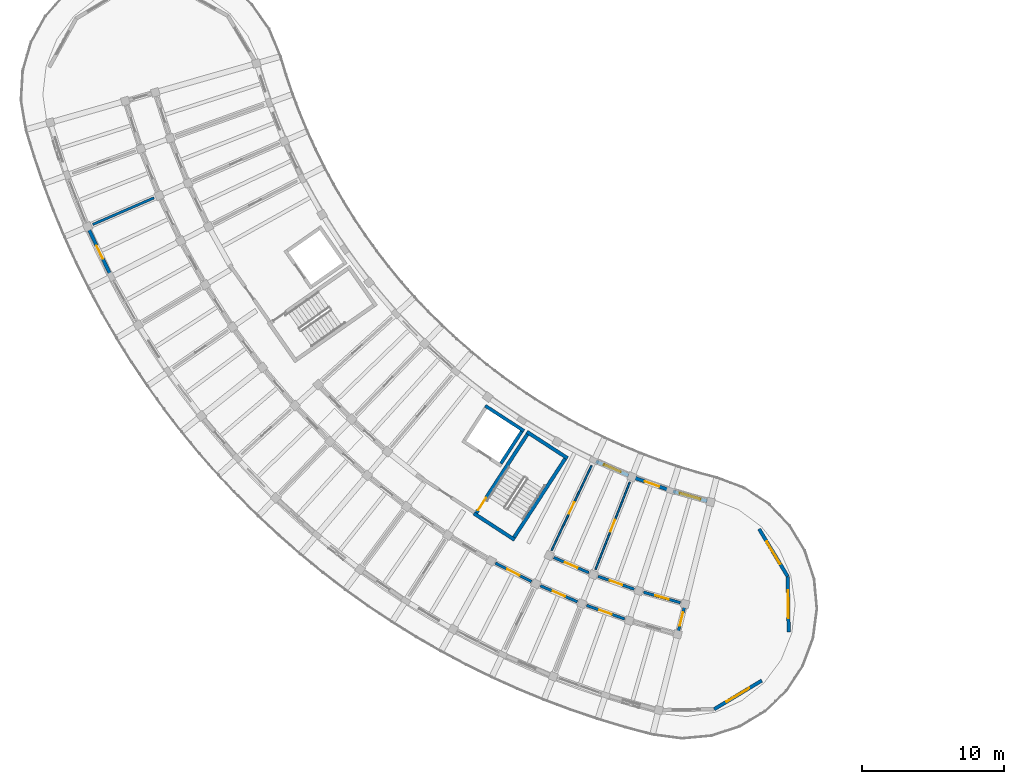
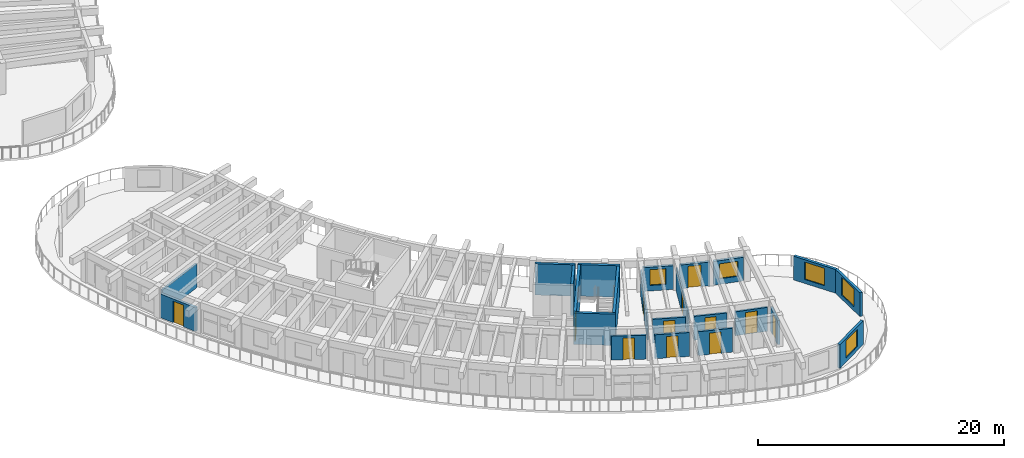
# One storey, part 56 of 96: 23 walls, 12 doors, 5 windows, 17 openings.
"""IFC4 building model written with IfcOpenShell, lengths in metres."""

from ifc_helpers import new_model, si_unit, direction, frame, frame_2d, origin, place, context, subcontext, project, spatial, rectangle, extrude, material, layer, layer_set, type_object, element, fill, save


model = new_model("IFC4")

# Units and contexts
model_context = context("Model", 3, precision=1e-05, world=origin(), true_north=direction((0.0, 1.0)))
body_context = subcontext(model_context, "Body", "Model", "MODEL_VIEW")
ifc_project = project(units=[si_unit("LENGTHUNIT", "METRE"), si_unit("AREAUNIT", "SQUARE_METRE"), si_unit("VOLUMEUNIT", "CUBIC_METRE"), si_unit("PLANEANGLEUNIT", "RADIAN"), si_unit("MASSUNIT", "GRAM", prefix="KILO")], contexts=[model_context])

# Site, building, storey
site_placement = place(None, origin())
site = spatial("IfcSite", under=ifc_project, at=site_placement, CompositionType="ELEMENT")
building_placement = place(site_placement, origin())
building = spatial("IfcBuilding", under=site, at=building_placement, Name="Tanwirah Colonnade Gardens", CompositionType="ELEMENT")
storey_placement = place(building_placement, frame((0.0, 0.0, 12.199951171875)))
storey = spatial("IfcBuildingStorey", under=building, at=storey_placement, Name="L03", CompositionType="ELEMENT", Elevation=12.199951171875)

# Wall, opening, door
ifc_material_1 = material(Name="Limestone architectural precast concrete C40/50", Category="masonry")
ifc_layer_1 = layer(ifc_material_1, 0.2451171875)
ifc_layer_set_1 = layer_set([ifc_layer_1], Name="Limestone architectural precast concrete C40/50")
wall_type_1 = type_object("IfcWallType", Name="EW-PC245", PredefinedType="SOLIDWALL", material=ifc_layer_set_1)
wall_1_placement = place(storey_placement, frame((10.49609375, 40.528564453125, 0.0), z_axis=(0.0, 0.0, 1.0), x_axis=(0.428576879122, -0.903505317462, 0.0)))
wall_1 = element("IfcWall", 1, at=wall_1_placement, inside=storey, type_object=wall_type_1, Name="Block C L03 OUT Precast Facade Wall 2", PredefinedType="SOLIDWALL", context=body_context, shape_type="SweptSolid", body=[
    extrude(rectangle(XDim=3.48681640625, YDim=0.2451171875, at=frame_2d((1.743408203125, 0.0))), origin(), (0.0, 0.0, 1.0), 2.35498046875),
])
opening_1_placement = place(wall_1_placement, frame((1.2333984375, 0.0, 0.0)))
opening_1 = element("IfcOpeningElement", 2, at=opening_1_placement, cuts=wall_1, Name="Opening L03-ED138", PredefinedType="OPENING", context=body_context, shape_type="SweptSolid", body=[
    extrude(rectangle(XDim=1.02001953125, YDim=2.139892578125, at=frame_2d((0.510009765625, 1.06982421875))), frame((0.0, 0.132568359375, 0.0), z_axis=(0.0, -1.0, 0.0), x_axis=(1.0, 0.0, 0.0)), (0.0, 0.0, 1.0), 0.26513671875),
])
ifc_material_2 = material(Name="Bronze aluminium glazed balcony door", Category="aluminium")
door_type_1 = type_object("IfcDoorType", Name="ED-BAL102", OperationType="NOTDEFINED", PredefinedType="DOOR", material=ifc_material_2)
door_1_placement = place(opening_1_placement, origin())
door_1 = element("IfcDoor", 3, at=door_1_placement, inside=storey, type_object=door_type_1, Name="Balcony glazed door L03-ED138", OperationType="SINGLE_SWING_RIGHT", OverallHeight=2.139892578125, OverallWidth=1.02001953125, PredefinedType="DOOR", context=body_context, shape_type="SweptSolid", body=[
    extrude(rectangle(XDim=1.02001953125, YDim=2.139892578125, at=frame_2d((0.510009765625, 1.06982421875))), frame((0.0, 0.02490234375, 0.0), z_axis=(0.0, -1.0, 0.0), x_axis=(1.0, 0.0, 0.0)), (0.0, 0.0, 1.0), 0.050048828125),
])
fill(opening_1, door_1)

# Wall, opening, window
wall_2_placement = place(storey_placement, frame((46.185791015625, 24.2333984375, 0.0), z_axis=(0.0, 0.0, 1.0), x_axis=(0.91795321239, -0.396688668686, 0.0)))
wall_2 = element("IfcWall", 4, at=wall_2_placement, inside=storey, type_object=wall_type_1, Name="Block C L03 IN Precast Facade Wall 13", PredefinedType="SOLIDWALL", context=body_context, shape_type="SweptSolid", body=[
    extrude(rectangle(XDim=2.498779296875, YDim=0.2451171875, at=frame_2d((1.24951171875, 0.0))), origin(), (0.0, 0.0, 1.0), 2.35498046875),
])
opening_2_placement = place(wall_2_placement, frame((0.609375, 0.0, 0.550048828125)))
opening_2 = element("IfcOpeningElement", 5, at=opening_2_placement, cuts=wall_2, Name="Opening WIN-U04", PredefinedType="OPENING", context=body_context, shape_type="SweptSolid", body=[
    extrude(rectangle(XDim=1.280029296875, YDim=1.56005859375, at=frame_2d((0.64013671875, 0.780029296875))), frame((0.0, 0.132568359375, 0.0), z_axis=(0.0, -1.0, 0.0), x_axis=(1.0, 0.0, 0.0)), (0.0, 0.0, 1.0), 0.26513671875),
])
ifc_material_3 = material(Name="Thermally broken bronze aluminium and solar low-E double glazing", Category="aluminium")
window_type_1 = type_object("IfcWindowType", Name="WIN-U04", PartitioningType="DOUBLE_PANEL_VERTICAL", PredefinedType="WINDOW", material=ifc_material_3)
window_1_placement = place(opening_2_placement, origin())
window_1 = element("IfcWindow", 6, at=window_1_placement, inside=storey, type_object=window_type_1, Name="Facade window C-L03-IN-13", OverallHeight=1.56005859375, OverallWidth=1.280029296875, PartitioningType="SINGLE_PANEL", PredefinedType="WINDOW", context=body_context, shape_type="SweptSolid", body=[
    extrude(rectangle(XDim=1.280029296875, YDim=1.56005859375, at=frame_2d((0.64013671875, 0.780029296875))), frame((0.0, 0.030029296875, 0.0), z_axis=(0.0, -1.0, 0.0), x_axis=(1.0, 0.0, 0.0)), (0.0, 0.0, 1.0), 0.06005859375),
])
fill(opening_2, window_1)

# Wall, opening, door
wall_3_placement = place(storey_placement, frame((48.944580078125, 23.05908203125, 0.0), z_axis=(0.0, 0.0, 1.0), x_axis=(0.941892135469, -0.33591547321, 0.0)))
wall_3 = element("IfcWall", 7, at=wall_3_placement, inside=storey, type_object=wall_type_1, Name="Block C L03 IN Precast Facade Wall 14", PredefinedType="SOLIDWALL", context=body_context, shape_type="SweptSolid", body=[
    extrude(rectangle(XDim=2.498779296875, YDim=0.2451171875, at=frame_2d((1.24951171875, 0.0))), origin(), (0.0, 0.0, 1.0), 2.35498046875),
])
opening_3_placement = place(wall_3_placement, frame((0.70947265625, 0.0, 0.0)))
opening_3 = element("IfcOpeningElement", 8, at=opening_3_placement, cuts=wall_3, Name="Opening L03-ED142", PredefinedType="OPENING", context=body_context, shape_type="SweptSolid", body=[
    extrude(rectangle(XDim=1.080078125, YDim=2.14990234375, at=frame_2d((0.5400390625, 1.074951171875))), frame((0.0, 0.132568359375, 0.0), z_axis=(0.0, -1.0, 0.0), x_axis=(1.0, 0.0, 0.0)), (0.0, 0.0, 1.0), 0.26513671875),
])
door_type_2 = type_object("IfcDoorType", Name="ED-BAL108", OperationType="NOTDEFINED", PredefinedType="DOOR", material=ifc_material_2)
door_2_placement = place(opening_3_placement, origin())
door_2 = element("IfcDoor", 9, at=door_2_placement, inside=storey, type_object=door_type_2, Name="Balcony glazed door L03-ED142", OperationType="SINGLE_SWING_RIGHT", OverallHeight=2.14990234375, OverallWidth=1.080078125, PredefinedType="DOOR", context=body_context, shape_type="SweptSolid", body=[
    extrude(rectangle(XDim=1.080078125, YDim=2.14990234375, at=frame_2d((0.5400390625, 1.074951171875))), frame((0.0, 0.02490234375, 0.0), z_axis=(0.0, -1.0, 0.0), x_axis=(1.0, 0.0, 0.0)), (0.0, 0.0, 1.0), 0.050048828125),
])
fill(opening_3, door_2)

# Wall, opening, window
wall_4_placement = place(storey_placement, frame((51.602783203125, 22.122314453125, 0.0), z_axis=(0.0, 0.0, 1.0), x_axis=(0.961847744742, -0.273585299195, 0.0)))
wall_4 = element("IfcWall", 10, at=wall_4_placement, inside=storey, type_object=wall_type_1, Name="Block C L03 IN Precast Facade Wall 15", PredefinedType="SOLIDWALL", context=body_context, shape_type="SweptSolid", body=[
    extrude(rectangle(XDim=2.49853515625, YDim=0.2451171875, at=frame_2d((1.249267578125, 0.0))), origin(), (0.0, 0.0, 1.0), 2.35498046875),
])
opening_4_placement = place(wall_4_placement, frame((0.489501953125, 0.0, 0.550048828125)))
opening_4 = element("IfcOpeningElement", 11, at=opening_4_placement, cuts=wall_4, Name="Opening WIN-U10", PredefinedType="OPENING", context=body_context, shape_type="SweptSolid", body=[
    extrude(rectangle(XDim=1.52001953125, YDim=1.485107421875, at=frame_2d((0.760009765625, 0.74267578125))), frame((0.0, 0.132568359375, 0.0), z_axis=(0.0, -1.0, 0.0), x_axis=(1.0, 0.0, 0.0)), (0.0, 0.0, 1.0), 0.26513671875),
])
window_type_2 = type_object("IfcWindowType", Name="WIN-U10", PartitioningType="DOUBLE_PANEL_VERTICAL", PredefinedType="WINDOW", material=ifc_material_3)
window_2_placement = place(opening_4_placement, origin())
window_2 = element("IfcWindow", 12, at=window_2_placement, inside=storey, type_object=window_type_2, Name="Facade window C-L03-IN-15", OverallHeight=1.485107421875, OverallWidth=1.52001953125, PartitioningType="SINGLE_PANEL", PredefinedType="WINDOW", context=body_context, shape_type="SweptSolid", body=[
    extrude(rectangle(XDim=1.52001953125, YDim=1.485107421875, at=frame_2d((0.760009765625, 0.74267578125))), frame((0.0, 0.030029296875, 0.0), z_axis=(0.0, -1.0, 0.0), x_axis=(1.0, 0.0, 0.0)), (0.0, 0.0, 1.0), 0.06005859375),
])
fill(opening_4, window_2)

wall_5_placement = place(storey_placement, frame((57.664794921875, 19.4755859375, 0.0), z_axis=(0.0, 0.0, 1.0), x_axis=(0.515019321998, -0.857178568309, 0.0)))
wall_5 = element("IfcWall", 13, at=wall_5_placement, inside=storey, type_object=wall_type_1, Name="Block C L03 END Rounded End Wall 1", PredefinedType="SOLIDWALL", context=body_context, shape_type="SweptSolid", body=[
    extrude(rectangle(XDim=3.907958984375, YDim=0.2451171875, at=frame_2d((1.9541015625, 0.0))), origin(), (0.0, 0.0, 1.0), 2.35498046875),
])
opening_5_placement = place(wall_5_placement, frame((1.029052734375, 0.0, 0.39990234375)))
opening_5 = element("IfcOpeningElement", 14, at=opening_5_placement, cuts=wall_5, Name="Opening WIN-END1", PredefinedType="OPENING", context=body_context, shape_type="SweptSolid", body=[
    extrude(rectangle(XDim=1.85009765625, YDim=1.719970703125, at=frame_2d((0.925048828125, 0.85986328125))), frame((0.0, 0.132568359375, 0.0), z_axis=(0.0, -1.0, 0.0), x_axis=(1.0, 0.0, 0.0)), (0.0, 0.0, 1.0), 0.26513671875),
])
window_type_3 = type_object("IfcWindowType", Name="WIN-END1", PartitioningType="TRIPLE_PANEL_VERTICAL", PredefinedType="WINDOW", material=ifc_material_3)
window_3_placement = place(opening_5_placement, origin())
window_3 = element("IfcWindow", 15, at=window_3_placement, inside=storey, type_object=window_type_3, Name="Rounded corner window C-L03-END-1", OverallHeight=1.719970703125, OverallWidth=1.85009765625, PartitioningType="SINGLE_PANEL", PredefinedType="WINDOW", context=body_context, shape_type="SweptSolid", body=[
    extrude(rectangle(XDim=1.85009765625, YDim=1.719970703125, at=frame_2d((0.925048828125, 0.85986328125))), frame((0.0, 0.030029296875, 0.0), z_axis=(0.0, -1.0, 0.0), x_axis=(1.0, 0.0, 0.0)), (0.0, 0.0, 1.0), 0.06005859375),
])
fill(opening_5, window_3)

wall_6_placement = place(storey_placement, frame((59.677490234375, 16.125732421875, 0.0), z_axis=(0.0, 0.0, 1.0), x_axis=(0.017490763899, -0.999847024888, 0.0)))
wall_6 = element("IfcWall", 16, at=wall_6_placement, inside=storey, type_object=wall_type_1, Name="Block C L03 END Rounded End Wall 2", PredefinedType="SOLIDWALL", context=body_context, shape_type="SweptSolid", body=[
    extrude(rectangle(XDim=3.908203125, YDim=0.2451171875, at=frame_2d((1.9541015625, 0.0))), origin(), (0.0, 0.0, 1.0), 2.35498046875),
])
opening_6_placement = place(wall_6_placement, frame((0.97900390625, 0.0, 0.39990234375)))
opening_6 = element("IfcOpeningElement", 17, at=opening_6_placement, cuts=wall_6, Name="Opening WIN-END2", PredefinedType="OPENING", context=body_context, shape_type="SweptSolid", body=[
    extrude(rectangle(XDim=1.949951171875, YDim=1.780029296875, at=frame_2d((0.97509765625, 0.89013671875))), frame((0.0, 0.132568359375, 0.0), z_axis=(0.0, -1.0, 0.0), x_axis=(1.0, 0.0, 0.0)), (0.0, 0.0, 1.0), 0.26513671875),
])
window_type_4 = type_object("IfcWindowType", Name="WIN-END2", PartitioningType="TRIPLE_PANEL_VERTICAL", PredefinedType="WINDOW", material=ifc_material_3)
window_4_placement = place(opening_6_placement, origin())
window_4 = element("IfcWindow", 18, at=window_4_placement, inside=storey, type_object=window_type_4, Name="Rounded corner window C-L03-END-2", OverallHeight=1.780029296875, OverallWidth=1.949951171875, PartitioningType="SINGLE_PANEL", PredefinedType="WINDOW", context=body_context, shape_type="SweptSolid", body=[
    extrude(rectangle(XDim=1.949951171875, YDim=1.780029296875, at=frame_2d((0.97509765625, 0.89013671875))), frame((0.0, 0.030029296875, 0.0), z_axis=(0.0, -1.0, 0.0), x_axis=(1.0, 0.0, 0.0)), (0.0, 0.0, 1.0), 0.06005859375),
])
fill(opening_6, window_4)

wall_7_placement = place(storey_placement, frame((57.85107421875, 8.800048828125, 0.0), z_axis=(0.0, 0.0, 1.0), x_axis=(-0.85715098885, -0.515065221417, 0.0)))
wall_7 = element("IfcWall", 19, at=wall_7_placement, inside=storey, type_object=wall_type_1, Name="Block C L03 END Rounded End Wall 4", PredefinedType="SOLIDWALL", context=body_context, shape_type="SweptSolid", body=[
    extrude(rectangle(XDim=3.908203125, YDim=0.2451171875, at=frame_2d((1.9541015625, 0.0))), origin(), (0.0, 0.0, 1.0), 2.35498046875),
])
opening_7_placement = place(wall_7_placement, frame((1.029052734375, 0.0, 0.39990234375)))
opening_7 = element("IfcOpeningElement", 20, at=opening_7_placement, cuts=wall_7, Name="Opening WIN-END1", PredefinedType="OPENING", context=body_context, shape_type="SweptSolid", body=[
    extrude(rectangle(XDim=1.85009765625, YDim=1.719970703125, at=frame_2d((0.925048828125, 0.85986328125))), frame((0.0, 0.132568359375, 0.0), z_axis=(0.0, -1.0, 0.0), x_axis=(1.0, 0.0, 0.0)), (0.0, 0.0, 1.0), 0.26513671875),
])
window_5_placement = place(opening_7_placement, origin())
window_5 = element("IfcWindow", 21, at=window_5_placement, inside=storey, type_object=window_type_3, Name="Rounded corner window C-L03-END-4", OverallHeight=1.719970703125, OverallWidth=1.85009765625, PartitioningType="SINGLE_PANEL", PredefinedType="WINDOW", context=body_context, shape_type="SweptSolid", body=[
    extrude(rectangle(XDim=1.85009765625, YDim=1.719970703125, at=frame_2d((0.925048828125, 0.85986328125))), frame((0.0, 0.030029296875, 0.0), z_axis=(0.0, -1.0, 0.0), x_axis=(1.0, 0.0, 0.0)), (0.0, 0.0, 1.0), 0.06005859375),
])
fill(opening_7, window_5)

# Wall, opening, door
ifc_material_4 = material(Name="Precast concrete C40/50", Category="concrete")
ifc_layer_2 = layer(ifc_material_4, 0.195068359375)
ifc_layer_set_2 = layer_set([ifc_layer_2], Name="Precast concrete C40/50")
wall_type_2 = type_object("IfcWallType", Name="IW-CORR195", PredefinedType="PARTITIONING", material=ifc_layer_set_2)
wall_8_placement = place(storey_placement, frame((39.107421875, 17.067138671875, 0.0), z_axis=(0.0, 0.0, 1.0), x_axis=(0.890030590607, -0.45590080915, 0.0)))
wall_8 = element("IfcWall", 22, at=wall_8_placement, inside=storey, type_object=wall_type_2, Name="Block C L03 OUT Corridor Wall 12", PredefinedType="PARTITIONING", context=body_context, shape_type="SweptSolid", body=[
    extrude(rectangle(XDim=2.837158203125, YDim=0.195068359375, at=frame_2d((1.41845703125, 0.0))), origin(), (0.0, 0.0, 1.0), 2.3701171875),
])
opening_8_placement = place(wall_8_placement, frame((0.93359375, 0.0, 0.0)))
opening_8 = element("IfcOpeningElement", 23, at=opening_8_placement, cuts=wall_8, Name="Opening L03-AD1417", PredefinedType="OPENING", context=body_context, shape_type="SweptSolid", body=[
    extrude(rectangle(XDim=0.969970703125, YDim=2.14990234375, at=frame_2d((0.48486328125, 1.074951171875))), frame((0.0, 0.107421875, 0.0), z_axis=(0.0, -1.0, 0.0), x_axis=(1.0, 0.0, 0.0)), (0.0, 0.0, 1.0), 0.215087890625),
])
ifc_material_5 = material(Name="Solid oak fire-resisting apartment entrance door")
door_type_3 = type_object("IfcDoorType", Name="ID-FLT097", OperationType="NOTDEFINED", PredefinedType="DOOR", material=ifc_material_5)
door_3_placement = place(opening_8_placement, origin())
door_3 = element("IfcDoor", 24, at=door_3_placement, inside=storey, type_object=door_type_3, Name="Apartment corridor door L03-AD1417", OperationType="SINGLE_SWING_RIGHT", OverallHeight=2.14990234375, OverallWidth=0.969970703125, PredefinedType="DOOR", context=body_context, shape_type="SweptSolid", body=[
    extrude(rectangle(XDim=0.969970703125, YDim=2.14990234375, at=frame_2d((0.48486328125, 1.074951171875))), frame((0.0, 0.02490234375, 0.0), z_axis=(0.0, -1.0, 0.0), x_axis=(1.0, 0.0, 0.0)), (0.0, 0.0, 1.0), 0.050048828125),
])
fill(opening_8, door_3)

wall_9_placement = place(storey_placement, frame((42.26513671875, 15.475341796875, 0.0), z_axis=(0.0, 0.0, 1.0), x_axis=(0.917943439406, -0.396711282991, 0.0)))
wall_9 = element("IfcWall", 25, at=wall_9_placement, inside=storey, type_object=wall_type_2, Name="Block C L03 OUT Corridor Wall 13", PredefinedType="PARTITIONING", context=body_context, shape_type="SweptSolid", body=[
    extrude(rectangle(XDim=2.837158203125, YDim=0.195068359375, at=frame_2d((1.41845703125, 0.0))), origin(), (0.0, 0.0, 1.0), 2.3701171875),
])
opening_9_placement = place(wall_9_placement, frame((0.943603515625, 0.0, 0.0)))
opening_9 = element("IfcOpeningElement", 26, at=opening_9_placement, cuts=wall_9, Name="Opening L03-AD1420", PredefinedType="OPENING", context=body_context, shape_type="SweptSolid", body=[
    extrude(rectangle(XDim=0.949951171875, YDim=2.1298828125, at=frame_2d((0.47509765625, 1.06494140625))), frame((0.0, 0.107421875, 0.0), z_axis=(0.0, -1.0, 0.0), x_axis=(1.0, 0.0, 0.0)), (0.0, 0.0, 1.0), 0.215087890625),
])
door_type_4 = type_object("IfcDoorType", Name="ID-FLT095", OperationType="NOTDEFINED", PredefinedType="DOOR", material=ifc_material_5)
door_4_placement = place(opening_9_placement, origin())
door_4 = element("IfcDoor", 27, at=door_4_placement, inside=storey, type_object=door_type_4, Name="Apartment corridor door L03-AD1420", OperationType="SINGLE_SWING_LEFT", OverallHeight=2.1298828125, OverallWidth=0.949951171875, PredefinedType="DOOR", context=body_context, shape_type="SweptSolid", body=[
    extrude(rectangle(XDim=0.949951171875, YDim=2.1298828125, at=frame_2d((0.47509765625, 1.06494140625))), frame((0.0, 0.02490234375, 0.0), z_axis=(0.0, -1.0, 0.0), x_axis=(1.0, 0.0, 0.0)), (0.0, 0.0, 1.0), 0.050048828125),
])
fill(opening_9, door_4)

wall_10_placement = place(storey_placement, frame((43.20361328125, 17.465087890625, 0.0), z_axis=(0.0, 0.0, 1.0), x_axis=(0.91793557165, -0.39672948756, 0.0)))
wall_10 = element("IfcWall", 28, at=wall_10_placement, inside=storey, type_object=wall_type_2, Name="Block C L03 IN Corridor Wall 13", PredefinedType="PARTITIONING", context=body_context, shape_type="SweptSolid", body=[
    extrude(rectangle(XDim=2.69287109375, YDim=0.195068359375, at=frame_2d((1.346435546875, 0.0))), origin(), (0.0, 0.0, 1.0), 2.3701171875),
])
opening_10_placement = place(wall_10_placement, frame((0.87158203125, 0.0, 0.0)))
opening_10 = element("IfcOpeningElement", 29, at=opening_10_placement, cuts=wall_10, Name="Opening L03-AD1421", PredefinedType="OPENING", context=body_context, shape_type="SweptSolid", body=[
    extrude(rectangle(XDim=0.949951171875, YDim=2.1298828125, at=frame_2d((0.47509765625, 1.06494140625))), frame((0.0, 0.107421875, 0.0), z_axis=(0.0, -1.0, 0.0), x_axis=(1.0, 0.0, 0.0)), (0.0, 0.0, 1.0), 0.215087890625),
])
door_5_placement = place(opening_10_placement, origin())
door_5 = element("IfcDoor", 30, at=door_5_placement, inside=storey, type_object=door_type_4, Name="Apartment corridor door L03-AD1421", OperationType="SINGLE_SWING_RIGHT", OverallHeight=2.1298828125, OverallWidth=0.949951171875, PredefinedType="DOOR", context=body_context, shape_type="SweptSolid", body=[
    extrude(rectangle(XDim=0.949951171875, YDim=2.1298828125, at=frame_2d((0.47509765625, 1.06494140625))), frame((0.0, 0.02490234375, 0.0), z_axis=(0.0, -1.0, 0.0), x_axis=(1.0, 0.0, 0.0)), (0.0, 0.0, 1.0), 0.050048828125),
])
fill(opening_10, door_5)

wall_11_placement = place(storey_placement, frame((45.520263671875, 14.09326171875, 0.0), z_axis=(0.0, 0.0, 1.0), x_axis=(0.941930628611, -0.335807520589, 0.0)))
wall_11 = element("IfcWall", 31, at=wall_11_placement, inside=storey, type_object=wall_type_2, Name="Block C L03 OUT Corridor Wall 14", PredefinedType="PARTITIONING", context=body_context, shape_type="SweptSolid", body=[
    extrude(rectangle(XDim=2.8369140625, YDim=0.195068359375, at=frame_2d((1.41845703125, 0.0))), origin(), (0.0, 0.0, 1.0), 2.3701171875),
])
opening_11_placement = place(wall_11_placement, frame((0.95361328125, 0.0, 0.0)))
opening_11 = element("IfcOpeningElement", 32, at=opening_11_placement, cuts=wall_11, Name="Opening L03-AD1423", PredefinedType="OPENING", context=body_context, shape_type="SweptSolid", body=[
    extrude(rectangle(XDim=0.929931640625, YDim=2.1201171875, at=frame_2d((0.46484375, 1.06005859375))), frame((0.0, 0.107421875, 0.0), z_axis=(0.0, -1.0, 0.0), x_axis=(1.0, 0.0, 0.0)), (0.0, 0.0, 1.0), 0.215087890625),
])
door_type_5 = type_object("IfcDoorType", Name="ID-FLT093", OperationType="NOTDEFINED", PredefinedType="DOOR", material=ifc_material_5)
door_6_placement = place(opening_11_placement, origin())
door_6 = element("IfcDoor", 33, at=door_6_placement, inside=storey, type_object=door_type_5, Name="Apartment corridor door L03-AD1423", OperationType="SINGLE_SWING_RIGHT", OverallHeight=2.1201171875, OverallWidth=0.929931640625, PredefinedType="DOOR", context=body_context, shape_type="SweptSolid", body=[
    extrude(rectangle(XDim=0.929931640625, YDim=2.1201171875, at=frame_2d((0.46484375, 1.06005859375))), frame((0.0, 0.02490234375, 0.0), z_axis=(0.0, -1.0, 0.0), x_axis=(1.0, 0.0, 0.0)), (0.0, 0.0, 1.0), 0.050048828125),
])
fill(opening_11, door_6)

wall_12_placement = place(storey_placement, frame((46.32666015625, 16.140380859375, 0.0), z_axis=(0.0, 0.0, 1.0), x_axis=(0.941895652647, -0.335905611036, 0.0)))
wall_12 = element("IfcWall", 34, at=wall_12_placement, inside=storey, type_object=wall_type_2, Name="Block C L03 IN Corridor Wall 14", PredefinedType="PARTITIONING", context=body_context, shape_type="SweptSolid", body=[
    extrude(rectangle(XDim=2.69287109375, YDim=0.195068359375, at=frame_2d((1.346435546875, 0.0))), origin(), (0.0, 0.0, 1.0), 2.3701171875),
])
opening_12_placement = place(wall_12_placement, frame((0.881591796875, 0.0, 0.0)))
opening_12 = element("IfcOpeningElement", 35, at=opening_12_placement, cuts=wall_12, Name="Opening L03-AD1424", PredefinedType="OPENING", context=body_context, shape_type="SweptSolid", body=[
    extrude(rectangle(XDim=0.929931640625, YDim=2.1201171875, at=frame_2d((0.46484375, 1.06005859375))), frame((0.0, 0.107421875, 0.0), z_axis=(0.0, -1.0, 0.0), x_axis=(1.0, 0.0, 0.0)), (0.0, 0.0, 1.0), 0.215087890625),
])
door_7_placement = place(opening_12_placement, origin())
door_7 = element("IfcDoor", 36, at=door_7_placement, inside=storey, type_object=door_type_5, Name="Apartment corridor door L03-AD1424", OperationType="SINGLE_SWING_LEFT", OverallHeight=2.1201171875, OverallWidth=0.929931640625, PredefinedType="DOOR", context=body_context, shape_type="SweptSolid", body=[
    extrude(rectangle(XDim=0.929931640625, YDim=2.1201171875, at=frame_2d((0.46484375, 1.06005859375))), frame((0.0, 0.02490234375, 0.0), z_axis=(0.0, -1.0, 0.0), x_axis=(1.0, 0.0, 0.0)), (0.0, 0.0, 1.0), 0.050048828125),
])
fill(opening_12, door_7)

wall_13_placement = place(storey_placement, frame((49.529541015625, 15.0224609375, 0.0), z_axis=(0.0, 0.0, 1.0), x_axis=(0.961861926514, -0.273535435224, 0.0)))
wall_13 = element("IfcWall", 37, at=wall_13_placement, inside=storey, type_object=wall_type_2, Name="Block C L03 IN Corridor Wall 15", PredefinedType="PARTITIONING", context=body_context, shape_type="SweptSolid", body=[
    extrude(rectangle(XDim=2.69287109375, YDim=0.195068359375, at=frame_2d((1.346435546875, 0.0))), origin(), (0.0, 0.0, 1.0), 2.3701171875),
])
opening_13_placement = place(wall_13_placement, frame((0.8515625, 0.0, 0.0)))
opening_13 = element("IfcOpeningElement", 38, at=opening_13_placement, cuts=wall_13, Name="Opening L03-AD1426", PredefinedType="OPENING", context=body_context, shape_type="SweptSolid", body=[
    extrude(rectangle(XDim=0.989990234375, YDim=2.159912109375, at=frame_2d((0.4951171875, 1.080078125))), frame((0.0, 0.107421875, 0.0), z_axis=(0.0, -1.0, 0.0), x_axis=(1.0, 0.0, 0.0)), (0.0, 0.0, 1.0), 0.215087890625),
])
door_type_6 = type_object("IfcDoorType", Name="ID-FLT099", OperationType="NOTDEFINED", PredefinedType="DOOR", material=ifc_material_5)
door_8_placement = place(opening_13_placement, origin())
door_8 = element("IfcDoor", 39, at=door_8_placement, inside=storey, type_object=door_type_6, Name="Apartment corridor door L03-AD1426", OperationType="SINGLE_SWING_RIGHT", OverallHeight=2.159912109375, OverallWidth=0.989990234375, PredefinedType="DOOR", context=body_context, shape_type="SweptSolid", body=[
    extrude(rectangle(XDim=0.989990234375, YDim=2.159912109375, at=frame_2d((0.4951171875, 1.080078125))), frame((0.0, 0.02490234375, 0.0), z_axis=(0.0, -1.0, 0.0), x_axis=(1.0, 0.0, 0.0)), (0.0, 0.0, 1.0), 0.050048828125),
])
fill(opening_13, door_8)

wall_14_placement = place(storey_placement, frame((52.4443359375, 14.1416015625, 0.0), z_axis=(0.0, 0.0, 1.0), x_axis=(-0.241933770084, -0.970292765557, 0.0)))
wall_14 = element("IfcWall", 40, at=wall_14_placement, inside=storey, type_object=wall_type_2, Name="Block C L03 CE Corner Suite Corridor Wall", PredefinedType="PARTITIONING", context=body_context, shape_type="SweptSolid", body=[
    extrude(rectangle(XDim=2.10009765625, YDim=0.195068359375, at=frame_2d((1.050048828125, 0.0))), origin(), (0.0, 0.0, 1.0), 2.3701171875),
])
opening_14_placement = place(wall_14_placement, frame((0.570068359375, 0.0, 0.0)))
opening_14 = element("IfcOpeningElement", 41, at=opening_14_placement, cuts=wall_14, Name="Opening L03-CD1428", PredefinedType="OPENING", context=body_context, shape_type="SweptSolid", body=[
    extrude(rectangle(XDim=0.949951171875, YDim=2.1298828125, at=frame_2d((0.47509765625, 1.06494140625))), frame((0.0, 0.107421875, 0.0), z_axis=(0.0, -1.0, 0.0), x_axis=(1.0, 0.0, 0.0)), (0.0, 0.0, 1.0), 0.215087890625),
])
door_9_placement = place(opening_14_placement, origin())
door_9 = element("IfcDoor", 42, at=door_9_placement, inside=storey, type_object=door_type_4, Name="Corner suite entrance door L03-CD1428", OperationType="SINGLE_SWING_RIGHT", OverallHeight=2.1298828125, OverallWidth=0.949951171875, PredefinedType="DOOR", context=body_context, shape_type="SweptSolid", body=[
    extrude(rectangle(XDim=0.949951171875, YDim=2.1298828125, at=frame_2d((0.47509765625, 1.06494140625))), frame((0.0, 0.02490234375, 0.0), z_axis=(0.0, -1.0, 0.0), x_axis=(1.0, 0.0, 0.0)), (0.0, 0.0, 1.0), 0.050048828125),
])
fill(opening_14, door_9)

# Wall
ifc_layer_3 = layer(ifc_material_4, 0.175048828125)
ifc_layer_set_3 = layer_set([ifc_layer_3], Name="Precast concrete C40/50")
wall_type_3 = type_object("IfcWallType", Name="IW-DEM175", PredefinedType="PARTITIONING", material=ifc_layer_set_3)
wall_15_placement = place(storey_placement, frame((15.066162109375, 42.7880859375, 0.0), z_axis=(0.0, 0.0, 1.0), x_axis=(-0.917071707884, -0.398722312643, 0.0)))
element("IfcWall", 43, at=wall_15_placement, inside=storey, type_object=wall_type_3, Name="Block C L03 Radial Partition 1", PredefinedType="PARTITIONING", context=body_context, shape_type="SweptSolid", body=[
    extrude(rectangle(XDim=4.699951171875, YDim=0.175048828125, at=frame_2d((2.35009765625, 0.0))), origin(), (0.0, 0.0, 1.0), 2.3701171875),
])

# Wall, opening, door
ifc_material_6 = material(Name="Moisture-resistant gypsum stud partition")
ifc_layer_4 = layer(ifc_material_6, 0.125)
ifc_layer_set_4 = layer_set([ifc_layer_4], Name="Moisture-resistant gypsum stud partition")
wall_type_4 = type_object("IfcWallType", Name="IW-INT125", PredefinedType="PARTITIONING", material=ifc_layer_set_4)
wall_16_placement = place(storey_placement, frame((45.868408203125, 23.935302734375, 0.0), z_axis=(0.0, 0.0, 1.0), x_axis=(-0.426573573579, -0.904452865728, 0.0)))
wall_16 = element("IfcWall", 44, at=wall_16_placement, inside=storey, type_object=wall_type_4, Name="Block C L03 Inner Radial Partition 12", PredefinedType="PARTITIONING", context=body_context, shape_type="SweptSolid", body=[
    extrude(rectangle(XDim=6.60009765625, YDim=0.125, at=frame_2d((3.300048828125, 0.0))), origin(), (0.0, 0.0, 1.0), 2.3701171875),
])
opening_15_placement = place(wall_16_placement, frame((2.85498046875, 0.0, 0.0)))
opening_15 = element("IfcOpeningElement", 45, at=opening_15_placement, cuts=wall_16, Name="Opening L03-RD1419", PredefinedType="OPENING", context=body_context, shape_type="SweptSolid", body=[
    extrude(rectangle(XDim=0.889892578125, YDim=2.10009765625, at=frame_2d((0.44482421875, 1.050048828125))), frame((0.0, 0.072509765625, 0.0), z_axis=(0.0, -1.0, 0.0), x_axis=(1.0, 0.0, 0.0)), (0.0, 0.0, 1.0), 0.14501953125),
])
ifc_material_7 = material(Name="Painted hardwood bedroom door", Category="wood")
door_type_7 = type_object("IfcDoorType", Name="ID-RM089", OperationType="NOTDEFINED", PredefinedType="DOOR", material=ifc_material_7)
door_10_placement = place(opening_15_placement, origin())
door_10 = element("IfcDoor", 46, at=door_10_placement, inside=storey, type_object=door_type_7, Name="Internal apartment door L03-RD1419", OperationType="SINGLE_SWING_LEFT", OverallHeight=2.10009765625, OverallWidth=0.889892578125, PredefinedType="DOOR", context=body_context, shape_type="SweptSolid", body=[
    extrude(rectangle(XDim=0.889892578125, YDim=2.10009765625, at=frame_2d((0.44482421875, 1.050048828125))), frame((0.0, 0.02490234375, 0.0), z_axis=(0.0, -1.0, 0.0), x_axis=(1.0, 0.0, 0.0)), (0.0, 0.0, 1.0), 0.050048828125),
])
fill(opening_15, door_10)

wall_17_placement = place(storey_placement, frame((48.5625, 22.770751953125, 0.0), z_axis=(0.0, 0.0, 1.0), x_axis=(-0.366512873936, -0.930412979939, 0.0)))
wall_17 = element("IfcWall", 47, at=wall_17_placement, inside=storey, type_object=wall_type_4, Name="Block C L03 Inner Radial Partition 13", PredefinedType="PARTITIONING", context=body_context, shape_type="SweptSolid", body=[
    extrude(rectangle(XDim=6.599853515625, YDim=0.125, at=frame_2d((3.2998046875, 0.0))), origin(), (0.0, 0.0, 1.0), 2.3701171875),
])
opening_16_placement = place(wall_17_placement, frame((2.864990234375, 0.0, 0.0)))
opening_16 = element("IfcOpeningElement", 48, at=opening_16_placement, cuts=wall_17, Name="Opening L03-RD1422", PredefinedType="OPENING", context=body_context, shape_type="SweptSolid", body=[
    extrude(rectangle(XDim=0.8701171875, YDim=2.080078125, at=frame_2d((0.43505859375, 1.0400390625))), frame((0.0, 0.072509765625, 0.0), z_axis=(0.0, -1.0, 0.0), x_axis=(1.0, 0.0, 0.0)), (0.0, 0.0, 1.0), 0.14501953125),
])
ifc_material_8 = material(Name="Painted hardwood study door", Category="wood")
door_type_8 = type_object("IfcDoorType", Name="ID-RM087", OperationType="NOTDEFINED", PredefinedType="DOOR", material=ifc_material_8)
door_11_placement = place(opening_16_placement, origin())
door_11 = element("IfcDoor", 49, at=door_11_placement, inside=storey, type_object=door_type_8, Name="Internal apartment door L03-RD1422", OperationType="SINGLE_SWING_RIGHT", OverallHeight=2.080078125, OverallWidth=0.8701171875, PredefinedType="DOOR", context=body_context, shape_type="SweptSolid", body=[
    extrude(rectangle(XDim=0.8701171875, YDim=2.080078125, at=frame_2d((0.43505859375, 1.0400390625))), frame((0.0, 0.02490234375, 0.0), z_axis=(0.0, -1.0, 0.0), x_axis=(1.0, 0.0, 0.0)), (0.0, 0.0, 1.0), 0.050048828125),
])
fill(opening_16, door_11)

# Walls
ifc_material_9 = material(Name="Concrete C45/55", Category="concrete")
ifc_layer_5 = layer(ifc_material_9, 0.25)
ifc_layer_set_5 = layer_set([ifc_layer_5], Name="Concrete C45/55")
wall_type_5 = type_object("IfcWallType", Name="SW-CORE250", PredefinedType="SHEAR", material=ifc_layer_set_5)
wall_18_placement = place(storey_placement, frame((40.412841796875, 18.881591796875, 0.0), z_axis=(0.0, 0.0, 1.0), x_axis=(0.544629435258, 0.838676802022, 0.0)))
element("IfcWall", 50, at=wall_18_placement, inside=storey, type_object=wall_type_5, Name="CORE-C2 L03 Stair Shaft Shear Wall LEFT", PredefinedType="SHEAR", context=body_context, shape_type="SweptSolid", body=[
    extrude(rectangle(XDim=6.599853515625, YDim=0.25, at=frame_2d((3.2998046875, 0.0))), origin(), (0.0, 0.0, 1.0), 3.110107421875),
])
wall_19_placement = place(storey_placement, frame((44.180419921875, 24.45361328125, 0.0), z_axis=(0.0, 0.0, 1.0), x_axis=(-0.838699580527, 0.544594356953, 0.0)))
element("IfcWall", 51, at=wall_19_placement, inside=storey, type_object=wall_type_5, Name="CORE-C2 L03 Stair Shaft Shear Wall FAR", PredefinedType="SHEAR", context=body_context, shape_type="SweptSolid", body=[
    extrude(rectangle(XDim=3.420166015625, YDim=0.25, at=frame_2d((1.7099609375, 0.0))), origin(), (0.0, 0.0, 1.0), 3.110107421875),
])
wall_20_placement = place(storey_placement, frame((40.449462890625, 18.708740234375, 0.0), z_axis=(0.0, 0.0, 1.0), x_axis=(-0.838678407117, 0.544626963559, 0.0)))
element("IfcWall", 52, at=wall_20_placement, inside=storey, type_object=wall_type_5, Name="CORE-C2 L03 Stair Shaft Shear Wall NEAR", PredefinedType="SHEAR", context=body_context, shape_type="SweptSolid", body=[
    extrude(rectangle(XDim=3.419921875, YDim=0.25, at=frame_2d((1.7099609375, 0.0))), origin(), (0.0, 0.0, 1.0), 3.110107421875),
])

# Wall, opening, door
wall_21_placement = place(storey_placement, frame((37.754150390625, 20.608154296875, 0.0), z_axis=(0.0, 0.0, 1.0), x_axis=(0.544655453679, 0.838659905312, 0.0)))
wall_21 = element("IfcWall", 53, at=wall_21_placement, inside=storey, type_object=wall_type_5, Name="CORE-C2 L03 Stair Shaft Shear Wall RIGHT", PredefinedType="SHEAR", context=body_context, shape_type="SweptSolid", body=[
    extrude(rectangle(XDim=6.60009765625, YDim=0.25, at=frame_2d((3.300048828125, 0.0))), origin(), (0.0, 0.0, 1.0), 3.110107421875),
])
opening_17_placement = place(wall_21_placement, frame((0.219970703125, 0.0, 0.0)))
opening_17 = element("IfcOpeningElement", 54, at=opening_17_placement, cuts=wall_21, Name="Opening L03-SD149", PredefinedType="OPENING", context=body_context, shape_type="SweptSolid", body=[
    extrude(rectangle(XDim=1.050048828125, YDim=2.14990234375, at=frame_2d((0.52490234375, 1.074951171875))), frame((0.0, 0.135009765625, 0.0), z_axis=(0.0, -1.0, 0.0), x_axis=(1.0, 0.0, 0.0)), (0.0, 0.0, 1.0), 0.27001953125),
])
ifc_material_10 = material(Name="Steel fire-resisting stair enclosure door", Category="steel")
door_type_9 = type_object("IfcDoorType", Name="ID-ST105", OperationType="NOTDEFINED", PredefinedType="DOOR", material=ifc_material_10)
door_12_placement = place(opening_17_placement, origin())
door_12 = element("IfcDoor", 55, at=door_12_placement, inside=storey, type_object=door_type_9, Name="CORE-C2 L03 Stair Fire Door L03-SD149", OperationType="SINGLE_SWING_RIGHT", OverallHeight=2.14990234375, OverallWidth=1.050048828125, PredefinedType="DOOR", context=body_context, shape_type="SweptSolid", body=[
    extrude(rectangle(XDim=1.050048828125, YDim=2.14990234375, at=frame_2d((0.52490234375, 1.074951171875))), frame((0.0, 0.02490234375, 0.0), z_axis=(0.0, -1.0, 0.0), x_axis=(1.0, 0.0, 0.0)), (0.0, 0.0, 1.0), 0.050048828125),
])
fill(opening_17, door_12)

# Walls
ifc_layer_6 = layer(ifc_material_9, 0.22998046875)
ifc_layer_set_6 = layer_set([ifc_layer_6], Name="Concrete C45/55")
wall_type_6 = type_object("IfcWallType", Name="SW-LIFT230", PredefinedType="SHEAR", material=ifc_layer_set_6)
wall_22_placement = place(storey_placement, frame((41.111572265625, 26.374755859375, 0.0), z_axis=(0.0, 0.0, 1.0), x_axis=(-0.838638623546, 0.544688221919, 0.0)))
element("IfcWall", 56, at=wall_22_placement, inside=storey, type_object=wall_type_6, Name="CORE-C2 L03 Lift Shaft Wall BACK", PredefinedType="SHEAR", context=body_context, shape_type="SweptSolid", body=[
    extrude(rectangle(XDim=3.260009765625, YDim=0.22998046875, at=frame_2d((1.6298828125, 0.0))), origin(), (0.0, 0.0, 1.0), 3.110107421875),
])
wall_23_placement = place(storey_placement, frame((39.48193359375, 24.07666015625, 0.0), z_axis=(0.0, 0.0, 1.0), x_axis=(0.544686387605, 0.838639814913, 0.0)))
element("IfcWall", 57, at=wall_23_placement, inside=storey, type_object=wall_type_6, Name="CORE-C2 L03 Lift Shaft Wall SIDEA", PredefinedType="SHEAR", context=body_context, shape_type="SweptSolid", body=[
    extrude(rectangle(XDim=2.7001953125, YDim=0.22998046875, at=frame_2d((1.35009765625, 0.0))), origin(), (0.0, 0.0, 1.0), 3.110107421875),
])

save(model, "model.ifc")
